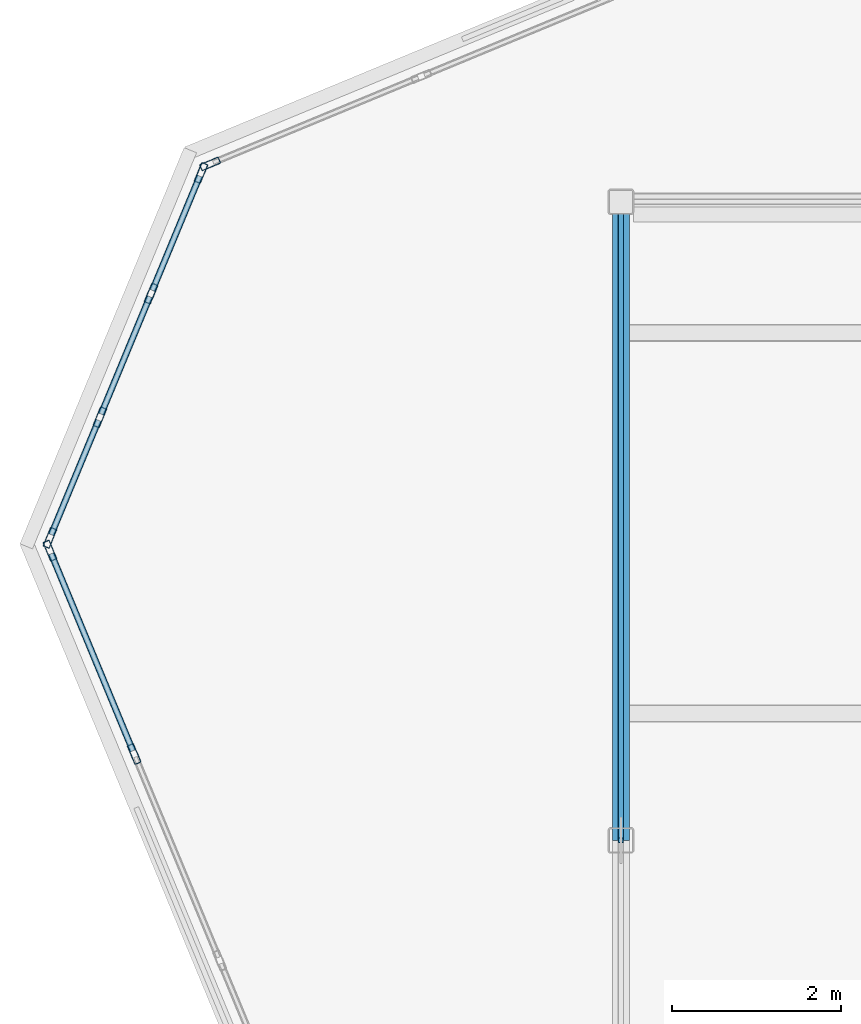
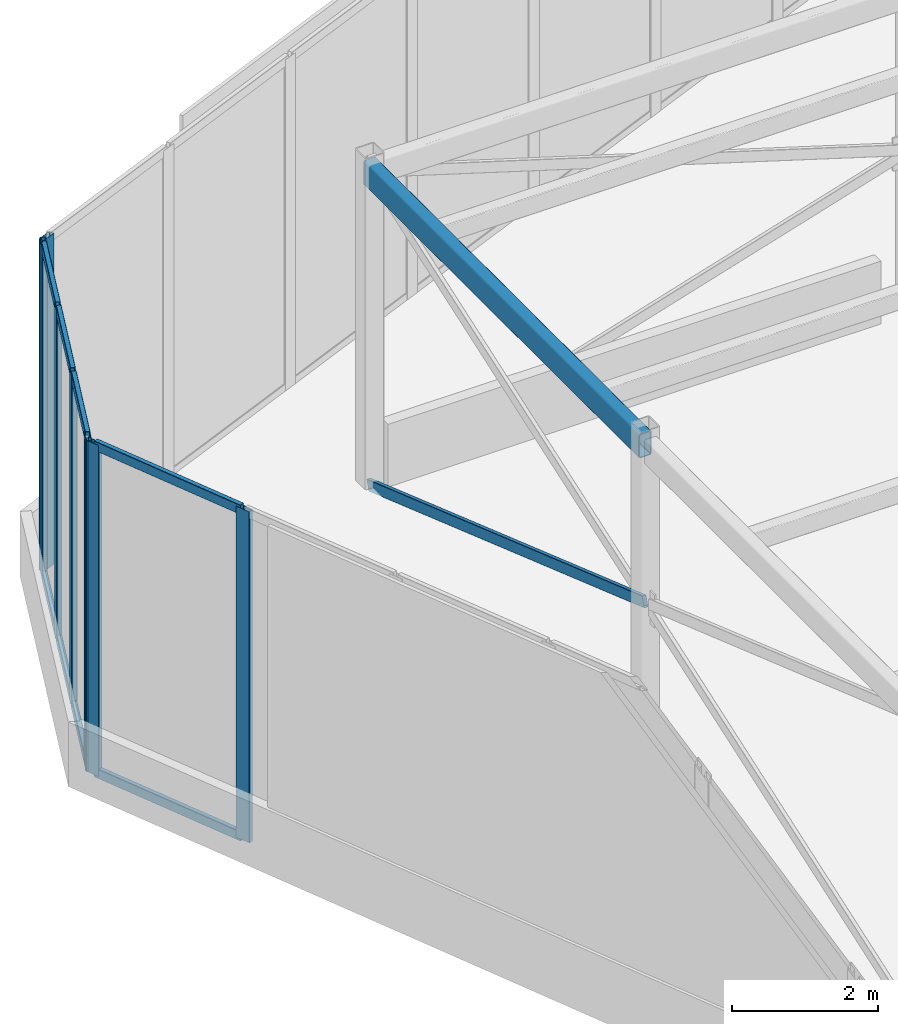
# One storey, part 7 of 12: 17 members, 3 elements without a shape of their own.
"""IFC4 building model written with IfcOpenShell, lengths in metres."""

import ifcopenshell
import ifcopenshell.guid

model = None  # the IFC model being written
_history = None  # IfcOwnerHistory: only IFC2X3 demands one
_inside = {}  # id of a spatial element -> (the spatial element, [elements in it])
_under = {}  # id of a project, library or spatial element -> (it, [spatial elements below it])
_declared = {}  # id of a project -> (the project, [libraries it declares])
_typed = {}  # id of a type object -> (the type object, [elements of that type])
_made_of = {}  # id of a material, layer set ... -> (it, [elements and type objects made of it])


def new_model(schema):
    """Start an empty IFC model of exactly this schema.

    Asked for "IFC4X3", IfcOpenShell would pick the latest addendum, in which some entities
    have other attributes; the version numbers below select the first issue.
    IFC2X3 requires an IfcOwnerHistory on every rooted entity: one is made here for all.
    """
    global model, _history
    if schema == "IFC4X3":
        model = ifcopenshell.file(schema_version=(4, 3, 0, 0))
    else:
        model = ifcopenshell.file(schema=schema)
    _inside.clear()
    _under.clear()
    _declared.clear()
    _typed.clear()
    _made_of.clear()
    _history = None
    if model.schema == "IFC2X3":
        org = make("IfcOrganization", Name="unknown")
        user = make(
            "IfcPersonAndOrganization",
            ThePerson=make("IfcPerson", FamilyName="unknown"),
            TheOrganization=org,
        )
        app = make(
            "IfcApplication",
            ApplicationDeveloper=org,
            Version="unknown",
            ApplicationFullName="unknown",
            ApplicationIdentifier="unknown",
        )
        _history = make(
            "IfcOwnerHistory",
            OwningUser=user,
            OwningApplication=app,
            ChangeAction="ADDED",
            CreationDate=0,
        )
    return model


def make(cls, **values):
    """One entity of the class cls with the attributes given. An attribute that is None is left unset."""
    return model.create_entity(
        cls, **{name: value for name, value in values.items() if value is not None}
    )


def rooted(cls, **values):
    """An entity with a GlobalId (a new one), such as an element, a storey or a relation."""
    return make(cls, GlobalId=ifcopenshell.guid.new(), OwnerHistory=_history, **values)


def si_unit(unit_type, name, prefix=None):
    """IfcSIUnit, for example si_unit("LENGTHUNIT", "METRE", prefix="MILLI")."""
    return make("IfcSIUnit", UnitType=unit_type, Prefix=prefix, Name=name)


def assignment(units):
    """IfcUnitAssignment: the units of a project."""
    return None if units is None else make("IfcUnitAssignment", Units=units)


def point(xyz):
    """IfcCartesianPoint."""
    return None if xyz is None else make("IfcCartesianPoint", Coordinates=xyz)


def direction(xyz):
    """IfcDirection."""
    return None if xyz is None else make("IfcDirection", DirectionRatios=xyz)


def frame(location, z_axis=None, x_axis=None):
    """IfcAxis2Placement3D, a coordinate frame: its origin and axes. An axis left out is left unset."""
    return make(
        "IfcAxis2Placement3D",
        Location=point(location),
        Axis=direction(z_axis),
        RefDirection=direction(x_axis),
    )


def frame_2d(location, x_axis=None):
    """IfcAxis2Placement2D, a coordinate frame in the plane: its origin and x axis."""
    return make(
        "IfcAxis2Placement2D", Location=point(location), RefDirection=direction(x_axis)
    )


def origin():
    """The frame at (0, 0, 0) with its axes left unset."""
    return frame((0.0, 0.0, 0.0))


def origin_2d():
    """The frame at (0, 0) in the plane with its x axis left unset."""
    return frame_2d((0.0, 0.0))


def place(relative_to, where):
    """IfcLocalPlacement: puts the frame where relative to a parent placement (None: the world)."""
    return make(
        "IfcLocalPlacement", PlacementRelTo=relative_to, RelativePlacement=where
    )


def context(
    kind, dimensions, precision=None, world=None, true_north=None, identifier=None
):
    """IfcGeometricRepresentationContext, for example the 3D "Model" context."""
    return make(
        "IfcGeometricRepresentationContext",
        ContextIdentifier=identifier,
        ContextType=kind,
        CoordinateSpaceDimension=dimensions,
        Precision=precision,
        WorldCoordinateSystem=world,
        TrueNorth=true_north,
    )


def subcontext(parent, identifier, kind, view, scale=None):
    """IfcGeometricRepresentationSubContext, for example "Body" below "Model"."""
    return make(
        "IfcGeometricRepresentationSubContext",
        ContextIdentifier=identifier,
        ContextType=kind,
        ParentContext=parent,
        TargetScale=scale,
        TargetView=view,
    )


def project(units=None, contexts=None):
    """IfcProject with its units and contexts."""
    return rooted(
        "IfcProject",
        Name="project",
        RepresentationContexts=contexts,
        UnitsInContext=assignment(units),
    )


def spatial(cls, under=None, at=None, **own):
    """A site, building, storey or space (cls), placed at a placement, below another one or the project."""
    s = rooted(cls, ObjectPlacement=at, **own)
    if under is not None:
        _under.setdefault(under.id(), (under, []))[1].append(s)
    return s


def profile(cls, at=None, kind="AREA", **sizes):
    """A parametric profile (cls). Its sizes go by their IFC names, for example OverallWidth=200.0."""
    return make(cls, ProfileType=kind, Position=at, **sizes)


def hollow_rectangle(**sizes):
    """IfcRectangleHollowProfileDef."""
    return profile("IfcRectangleHollowProfileDef", **sizes)


def extrude(swept, where, along, depth):
    """IfcExtrudedAreaSolid: the profile swept, set in the frame where, extruded along a direction by depth."""
    return make(
        "IfcExtrudedAreaSolid",
        SweptArea=swept,
        Position=where,
        ExtrudedDirection=direction(along),
        Depth=depth,
    )


def shape(context_of_items, identifier, shape_type, items):
    """IfcShapeRepresentation: the items that make up one representation, for example the "Body"."""
    return make(
        "IfcShapeRepresentation",
        ContextOfItems=context_of_items,
        RepresentationIdentifier=identifier,
        RepresentationType=shape_type,
        Items=items,
    )


def source(mapping_origin, context_of_items, identifier, shape_type, items):
    """IfcRepresentationMap: a shape defined once, which mapped items show again and again."""
    return make(
        "IfcRepresentationMap",
        MappingOrigin=mapping_origin,
        MappedRepresentation=shape(context_of_items, identifier, shape_type, items),
    )


def transform(
    local_origin,
    x_axis=None,
    y_axis=None,
    z_axis=None,
    scale=None,
    scale2=None,
    scale3=None,
    uniform=True,
):
    """IfcCartesianTransformationOperator3D, or its non-uniform kind. x_axis, y_axis, z_axis: its Axis1, 2, 3."""
    if uniform:
        return make(
            "IfcCartesianTransformationOperator3D",
            Axis1=direction(x_axis),
            Axis2=direction(y_axis),
            LocalOrigin=point(local_origin),
            Scale=scale,
            Axis3=direction(z_axis),
        )
    return make(
        "IfcCartesianTransformationOperator3DnonUniform",
        Axis1=direction(x_axis),
        Axis2=direction(y_axis),
        LocalOrigin=point(local_origin),
        Scale=scale,
        Axis3=direction(z_axis),
        Scale2=scale2,
        Scale3=scale3,
    )


def mapped(mapping_source, mapping_target):
    """IfcMappedItem: shows the shape of a source again, moved by a transform."""
    return make(
        "IfcMappedItem", MappingSource=mapping_source, MappingTarget=mapping_target
    )


def material(Name=None, Category=None):
    """IfcMaterial."""
    return make("IfcMaterial", Name=Name, Category=Category)


def material_profile(
    of_material, cross_section, Name=None, Category=None, Priority=None
):
    """IfcMaterialProfile: a cross section and its material."""
    return make(
        "IfcMaterialProfile",
        Name=Name,
        Material=of_material,
        Profile=cross_section,
        Priority=Priority,
        Category=Category,
    )


def profile_set(profiles, Name=None, composite=None):
    """IfcMaterialProfileSet."""
    return make(
        "IfcMaterialProfileSet",
        Name=Name,
        MaterialProfiles=profiles,
        CompositeProfile=composite,
    )


def made_of(thing, what):
    """Note that an element or type object is made of a material, layer set ...; save() writes the relation."""
    if what is not None:
        _made_of.setdefault(what.id(), (what, []))[1].append(thing)
    return thing


def type_object(cls, material=None, **own):
    """A type object (cls), such as IfcWallType, which elements share."""
    return made_of(rooted(cls, **own), material)


def element(
    cls,
    number,
    at=None,
    inside=None,
    cuts=None,
    type_object=None,
    material=None,
    context=None,
    identifier="Body",
    shape_type=None,
    held_by="IfcProductDefinitionShape",
    body=None,
    shapes=None,
    **own,
):
    """One element of the class cls, such as IfcWall. Its Tag is "e" and its number.

    at: its placement. inside: the storey or other place that contains it. cuts: it is an
    opening in that element (IfcRelVoidsElement). A single representation is given by context,
    identifier, shape_type and body (its items); several are given by shapes. held_by: the class
    of the entity that holds the representations. save() writes the other relations.
    """
    e = rooted(cls, Tag="e%d" % number, ObjectPlacement=at, **own)
    if body is not None:
        shapes = [shape(context, identifier, shape_type, body)]
    if shapes is not None:
        e.Representation = make(held_by, Representations=shapes)
    if inside is not None:
        _inside.setdefault(inside.id(), (inside, []))[1].append(e)
    if cuts is not None:
        rooted(
            "IfcRelVoidsElement", RelatingBuildingElement=cuts, RelatedOpeningElement=e
        )
    if type_object is not None:
        _typed.setdefault(type_object.id(), (type_object, []))[1].append(e)
    return made_of(e, material)


def aggregate(whole, parts):
    """IfcRelAggregates: a whole, such as a stair, and the parts it consists of."""
    return rooted("IfcRelAggregates", RelatingObject=whole, RelatedObjects=parts)


def save(model, path):
    """Write the relations noted so far, then the file.

    IfcRelAggregates (storeys below a building ...), IfcRelContainedInSpatialStructure (elements
    in a storey), IfcRelDefinesByType, IfcRelAssociatesMaterial and IfcRelDeclares: one each for
    every whole, place, type object, material and project.
    """
    for whole, parts in _under.values():
        aggregate(whole, parts)
    for where, things in _inside.values():
        rooted(
            "IfcRelContainedInSpatialStructure",
            RelatedElements=things,
            RelatingStructure=where,
        )
    for kind, things in _typed.values():
        rooted("IfcRelDefinesByType", RelatedObjects=things, RelatingType=kind)
    for what, things in _made_of.values():
        rooted("IfcRelAssociatesMaterial", RelatedObjects=things, RelatingMaterial=what)
    for by, libraries in _declared.values():
        rooted("IfcRelDeclares", RelatingContext=by, RelatedDefinitions=libraries)
    model.write(path)


model = new_model("IFC4")

# Units and contexts
model_context = context("Model", 3, precision=1e-05, world=origin(), true_north=direction((0.0, 1.0)))
body_context = subcontext(model_context, "Body", "Model", "MODEL_VIEW")
ifc_project = project(units=[si_unit("LENGTHUNIT", "METRE"), si_unit("AREAUNIT", "SQUARE_METRE"), si_unit("VOLUMEUNIT", "CUBIC_METRE"), si_unit("PLANEANGLEUNIT", "RADIAN"), si_unit("MASSUNIT", "GRAM", prefix="KILO")], contexts=[model_context])

# Site, building, storey
site_placement = place(None, origin())
site = spatial("IfcSite", under=ifc_project, at=site_placement, CompositionType="ELEMENT")
building_placement = place(site_placement, origin())
building = spatial("IfcBuilding", under=site, at=building_placement, Name="Torre Montelarca", CompositionType="ELEMENT")
storey_placement = place(building_placement, frame((0.0, 0.0, 370.60009765625)))
storey = spatial("IfcBuildingStorey", under=building, at=storey_placement, Name="RF", CompositionType="ELEMENT", Elevation=370.60009765625)

# Member
ifc_material_1 = material(Name="Steel ASTM A500 Grade C", Category="steel")
ifc_material_profile_1 = material_profile(ifc_material_1, hollow_rectangle(XDim=0.203125, YDim=0.406494140625, WallThickness=0.015869140625, InnerFilletRadius=0.015869140625, OuterFilletRadius=0.03173828125, at=origin_2d()), Name="HSS406X203X15.9", Category="steel")
ifc_profile_set_1 = profile_set([ifc_material_profile_1], Name="Steel ASTM A500 Grade C")
member_type_1 = type_object("IfcMemberType", Name="MB-CF-HSS406-EXT", PredefinedType="USERDEFINED", material=ifc_profile_set_1)
shared_shape_1 = source(origin(), body_context, "Body", "SweptSolid", [
    extrude(hollow_rectangle(XDim=0.203125, YDim=0.406494140625, WallThickness=0.015869140625, InnerFilletRadius=0.015869140625, OuterFilletRadius=0.03173828125, at=origin_2d()), origin(), (0.0, 0.0, 1.0), 7.550048828125),
])
member_1_placement = place(storey_placement, frame((9.449951171875, 32.0, 5.199951171875), z_axis=(0.0, 1.0, 0.0), x_axis=(-1.0, 0.0, 0.0)))
element("IfcMember", 1, at=member_1_placement, inside=storey, type_object=member_type_1, Name="RF Crown Frame Ring Beam 06", ObjectType="CROWN FRAME", PredefinedType="USERDEFINED", context=body_context, shape_type="MappedRepresentation", body=[
    mapped(shared_shape_1, transform((0.0, 0.0, 0.0), scale=1.0)),
])

# Curtain wall, members
ifc_material_2 = material(Name="Amber translucent laminated glass", Category="glass")
curtain_wall_type = type_object("IfcCurtainWallType", Name="CW-SYS-LANT", PredefinedType="USERDEFINED", material=ifc_material_2)
curtain_wall_1_placement = place(storey_placement, origin())
curtain_wall_1 = element("IfcCurtainWall", 2, at=curtain_wall_1_placement, inside=storey, type_object=curtain_wall_type, Name="RF Crown Translucent Amber Lantern Curtain Wall 01-1", ObjectType="TRANSLUCENT LANTERN", PredefinedType="USERDEFINED")
ifc_material_3 = material(Name="Anodised aluminium AA 6063-T6", Category="aluminium")
ifc_material_profile_2 = material_profile(ifc_material_3, hollow_rectangle(XDim=0.080078125, YDim=0.239990234375, WallThickness=0.0048828125, InnerFilletRadius=0.0048828125, OuterFilletRadius=0.010009765625, at=origin_2d()), Name="ALU80X240X5", Category="aluminium")
ifc_profile_set_2 = profile_set([ifc_material_profile_2], Name="Anodised aluminium AA 6063-T6")
member_type_2 = type_object("IfcMemberType", Name="CWM-ALU240", PredefinedType="MULLION", material=ifc_profile_set_2)
shared_shape_2 = source(origin(), body_context, "Body", "SweptSolid", [
    extrude(hollow_rectangle(XDim=0.080078125, YDim=0.239990234375, WallThickness=0.0048828125, InnerFilletRadius=0.0048828125, OuterFilletRadius=0.010009765625, at=origin_2d()), origin(), (0.0, 0.0, 1.0), 5.539794921875),
])
member_2_placement = place(storey_placement, frame((2.697998046875, 35.425537109375, 0.0), z_axis=(0.0, 0.0, 1.0), x_axis=(0.923878679496, 0.382685491719, 0.0)))
member_2 = element("IfcMember", 3, at=member_2_placement, type_object=member_type_2, Name="CW mullion 1", PredefinedType="MULLION", context=body_context, shape_type="MappedRepresentation", body=[
    mapped(shared_shape_2, transform((0.0, 0.0, 0.0), scale=1.0)),
])
member_3_placement = place(storey_placement, frame((3.694091796875, 33.020751953125, 0.0), z_axis=(0.0, 0.0, 1.0), x_axis=(0.923878679496, 0.382685491719, 0.0)))
member_3 = element("IfcMember", 4, at=member_3_placement, type_object=member_type_2, Name="CW mullion 2", PredefinedType="MULLION", context=body_context, shape_type="MappedRepresentation", body=[
    mapped(shared_shape_2, transform((0.0, 0.0, 0.0), scale=1.0)),
])

# Curtain wall, member
curtain_wall_2_placement = place(storey_placement, origin())
curtain_wall_2 = element("IfcCurtainWall", 5, at=curtain_wall_2_placement, inside=storey, type_object=curtain_wall_type, Name="RF Crown Translucent Amber Lantern Curtain Wall 07-1", ObjectType="TRANSLUCENT LANTERN", PredefinedType="USERDEFINED")
member_4_placement = place(storey_placement, frame((4.592041015625, 39.998291015625, 0.0), z_axis=(0.0, 0.0, 1.0), x_axis=(0.382688506799, -0.923877430596, 0.0)))
member_4 = element("IfcMember", 6, at=member_4_placement, type_object=member_type_2, Name="CW mullion 8", PredefinedType="MULLION", context=body_context, shape_type="MappedRepresentation", body=[
    mapped(shared_shape_2, transform((0.0, 0.0, 0.0), scale=1.0)),
])
aggregate(curtain_wall_2, [member_4])

# Curtain wall, members
curtain_wall_3_placement = place(storey_placement, origin())
curtain_wall_3 = element("IfcCurtainWall", 7, at=curtain_wall_3_placement, inside=storey, type_object=curtain_wall_type, Name="RF Crown Translucent Amber Lantern Curtain Wall 08-1", ObjectType="TRANSLUCENT LANTERN", PredefinedType="USERDEFINED")
member_5_placement = place(storey_placement, frame((4.485107421875, 39.891357421875, 0.0), z_axis=(0.0, 0.0, 1.0), x_axis=(0.923872872695, -0.382699510188, 0.0)))
member_5 = element("IfcMember", 8, at=member_5_placement, type_object=member_type_2, Name="CW mullion 1", PredefinedType="MULLION", context=body_context, shape_type="MappedRepresentation", body=[
    mapped(shared_shape_2, transform((0.0, 0.0, 0.0), scale=1.0)),
])
member_6_placement = place(storey_placement, frame((3.894287109375, 38.465576171875, 0.0), z_axis=(0.0, 0.0, 1.0), x_axis=(0.923872872695, -0.382699510188, 0.0)))
member_6 = element("IfcMember", 9, at=member_6_placement, type_object=member_type_2, Name="CW mullion 2", PredefinedType="MULLION", context=body_context, shape_type="MappedRepresentation", body=[
    mapped(shared_shape_2, transform((0.0, 0.0, 0.0), scale=1.0)),
])
member_7_placement = place(storey_placement, frame((3.28857421875, 37.002685546875, 0.0), z_axis=(0.0, 0.0, 1.0), x_axis=(0.923872872695, -0.382699510188, 0.0)))
member_7 = element("IfcMember", 10, at=member_7_placement, type_object=member_type_2, Name="CW mullion 3", PredefinedType="MULLION", context=body_context, shape_type="MappedRepresentation", body=[
    mapped(shared_shape_2, transform((0.0, 0.0, 0.0), scale=1.0)),
])
member_8_placement = place(storey_placement, frame((2.697998046875, 35.5771484375, 0.0), z_axis=(0.0, 0.0, 1.0), x_axis=(0.923872872695, -0.382699510188, 0.0)))
member_8 = element("IfcMember", 11, at=member_8_placement, type_object=member_type_2, Name="CW mullion 4", PredefinedType="MULLION", context=body_context, shape_type="MappedRepresentation", body=[
    mapped(shared_shape_2, transform((0.0, 0.0, 0.0), scale=1.0)),
])

# Member
ifc_material_profile_3 = material_profile(ifc_material_3, hollow_rectangle(XDim=0.074951171875, YDim=0.159912109375, WallThickness=0.0048828125, InnerFilletRadius=0.0048828125, OuterFilletRadius=0.010009765625, at=origin_2d()), Name="ALU75X160X5", Category="aluminium")
ifc_profile_set_3 = profile_set([ifc_material_profile_3], Name="Anodised aluminium AA 6063-T6")
member_type_3 = type_object("IfcMemberType", Name="CWT-ALU160", PredefinedType="USERDEFINED", material=ifc_profile_set_3)
shared_shape_3 = source(origin(), body_context, "Body", "SweptSolid", [
    extrude(hollow_rectangle(XDim=0.074951171875, YDim=0.159912109375, WallThickness=0.0048828125, InnerFilletRadius=0.0048828125, OuterFilletRadius=0.010009765625, at=origin_2d()), origin(), (0.0, 0.0, 1.0), 2.52294921875),
])
member_9_placement = place(storey_placement, frame((2.713134765625, 35.388671875, 0.037353515625), z_axis=(0.382724988828, -0.923862318166, 0.0), x_axis=(0.923862318166, 0.382724988828, 0.0)))
member_9 = element("IfcMember", 12, at=member_9_placement, type_object=member_type_3, Name="CW transom 1.1", ObjectType="TRANSOM", PredefinedType="USERDEFINED", context=body_context, shape_type="MappedRepresentation", body=[
    mapped(shared_shape_3, transform((0.0, 0.0, 0.0), scale=1.0)),
])

member_10_placement = place(storey_placement, frame((2.713134765625, 35.388671875, 5.50244140625), z_axis=(0.382724988828, -0.923862318166, 0.0), x_axis=(0.923862318166, 0.382724988828, 0.0)))
member_10 = element("IfcMember", 13, at=member_10_placement, type_object=member_type_3, Name="CW transom 1.2", ObjectType="TRANSOM", PredefinedType="USERDEFINED", context=body_context, shape_type="MappedRepresentation", body=[
    mapped(shared_shape_3, transform((0.0, 0.0, 0.0), scale=1.0)),
])

aggregate(curtain_wall_1, [member_2, member_3, member_9, member_10])

shared_shape_4 = source(origin(), body_context, "Body", "SweptSolid", [
    extrude(hollow_rectangle(XDim=0.074951171875, YDim=0.159912109375, WallThickness=0.0048828125, InnerFilletRadius=0.0048828125, OuterFilletRadius=0.010009765625, at=origin_2d()), origin(), (0.0, 0.0, 1.0), 1.463134765625),
])
member_11_placement = place(storey_placement, frame((4.4697265625, 39.854248046875, 0.037353515625), z_axis=(-0.382754568571, -0.923850063721, 0.0), x_axis=(0.923850063721, -0.382754568571, 0.0)))
member_11 = element("IfcMember", 14, at=member_11_placement, type_object=member_type_3, Name="CW transom 1.1", ObjectType="TRANSOM", PredefinedType="USERDEFINED", context=body_context, shape_type="MappedRepresentation", body=[
    mapped(shared_shape_4, transform((0.0, 0.0, 0.0), scale=1.0)),
])

member_12_placement = place(storey_placement, frame((4.4697265625, 39.854248046875, 5.50244140625), z_axis=(-0.382754568571, -0.923850063721, 0.0), x_axis=(0.923850063721, -0.382754568571, 0.0)))
member_12 = element("IfcMember", 15, at=member_12_placement, type_object=member_type_3, Name="CW transom 1.2", ObjectType="TRANSOM", PredefinedType="USERDEFINED", context=body_context, shape_type="MappedRepresentation", body=[
    mapped(shared_shape_4, transform((0.0, 0.0, 0.0), scale=1.0)),
])

member_13_placement = place(storey_placement, frame((3.273193359375, 36.9658203125, 0.037353515625), z_axis=(-0.382754568571, -0.923850063721, 0.0), x_axis=(0.923850063721, -0.382754568571, 0.0)))
member_13 = element("IfcMember", 16, at=member_13_placement, type_object=member_type_3, Name="CW transom 3.1", ObjectType="TRANSOM", PredefinedType="USERDEFINED", context=body_context, shape_type="MappedRepresentation", body=[
    mapped(shared_shape_4, transform((0.0, 0.0, 0.0), scale=1.0)),
])

member_14_placement = place(storey_placement, frame((3.273193359375, 36.9658203125, 5.50244140625), z_axis=(-0.382754568571, -0.923850063721, 0.0), x_axis=(0.923850063721, -0.382754568571, 0.0)))
member_14 = element("IfcMember", 17, at=member_14_placement, type_object=member_type_3, Name="CW transom 3.2", ObjectType="TRANSOM", PredefinedType="USERDEFINED", context=body_context, shape_type="MappedRepresentation", body=[
    mapped(shared_shape_4, transform((0.0, 0.0, 0.0), scale=1.0)),
])

shared_shape_5 = source(origin(), body_context, "Body", "SweptSolid", [
    extrude(hollow_rectangle(XDim=0.074951171875, YDim=0.159912109375, WallThickness=0.0048828125, InnerFilletRadius=0.0048828125, OuterFilletRadius=0.010009765625, at=origin_2d()), origin(), (0.0, 0.0, 1.0), 1.503173828125),
])
member_15_placement = place(storey_placement, frame((3.879150390625, 38.428466796875, 0.037353515625), z_axis=(-0.382815579561, -0.923824784278, 0.0), x_axis=(0.923824784278, -0.382815579561, 0.0)))
member_15 = element("IfcMember", 18, at=member_15_placement, type_object=member_type_3, Name="CW transom 2.1", ObjectType="TRANSOM", PredefinedType="USERDEFINED", context=body_context, shape_type="MappedRepresentation", body=[
    mapped(shared_shape_5, transform((0.0, 0.0, 0.0), scale=1.0)),
])

member_16_placement = place(storey_placement, frame((3.879150390625, 38.428466796875, 5.50244140625), z_axis=(-0.382815579561, -0.923824784278, 0.0), x_axis=(0.923824784278, -0.382815579561, 0.0)))
member_16 = element("IfcMember", 19, at=member_16_placement, type_object=member_type_3, Name="CW transom 2.2", ObjectType="TRANSOM", PredefinedType="USERDEFINED", context=body_context, shape_type="MappedRepresentation", body=[
    mapped(shared_shape_5, transform((0.0, 0.0, 0.0), scale=1.0)),
])

aggregate(curtain_wall_3, [member_5, member_6, member_7, member_8, member_11, member_12, member_15, member_16, member_13, member_14])

ifc_material_4 = material(Name="Architectural perforated terracotta ceramic on aluminium AA 6063-T6", Category="masonry")
ifc_material_profile_4 = material_profile(ifc_material_4, hollow_rectangle(XDim=0.06494140625, YDim=0.179931640625, WallThickness=0.00390625, InnerFilletRadius=0.00390625, OuterFilletRadius=0.008056640625, at=origin_2d()), Name="ALU65X180X4", Category="masonry")
ifc_profile_set_4 = profile_set([ifc_material_profile_4], Name="Architectural perforated terracotta ceramic on aluminium AA 6063-T6")
member_type_4 = type_object("IfcMemberType", Name="SCR-DIAG-RIB", PredefinedType="USERDEFINED", material=ifc_profile_set_4)
shared_shape_6 = source(origin(), body_context, "Body", "SweptSolid", [
    extrude(hollow_rectangle(XDim=0.06494140625, YDim=0.179931640625, WallThickness=0.00390625, InnerFilletRadius=0.00390625, OuterFilletRadius=0.008056640625, at=origin_2d()), origin(), (0.0, 0.0, 1.0), 7.993408203125),
])
member_17_placement = place(storey_placement, frame((9.449951171875, 39.550048828125, -0.050048828125), z_axis=(0.0, -0.944539641462, 0.328397420372), x_axis=(1.0, 0.0, 0.0)))
element("IfcMember", 20, at=member_17_placement, inside=storey, type_object=member_type_4, Name="RF Crown Split Diagonal Brace Lower WB1", ObjectType="SOLAR SCREEN", PredefinedType="USERDEFINED", context=body_context, shape_type="MappedRepresentation", body=[
    mapped(shared_shape_6, transform((0.0, 0.0, 0.0), scale=1.0)),
])

save(model, "model.ifc")
